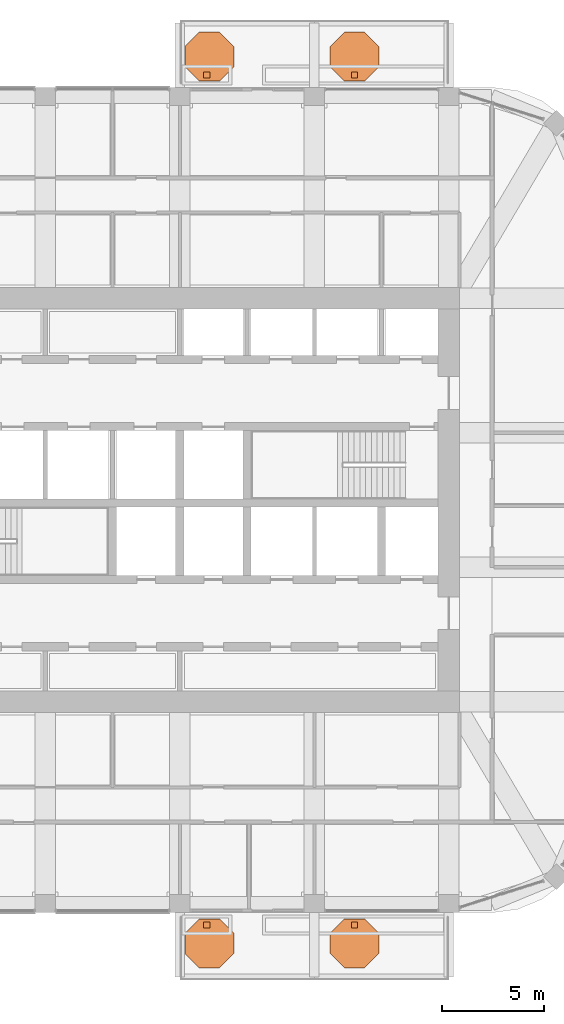
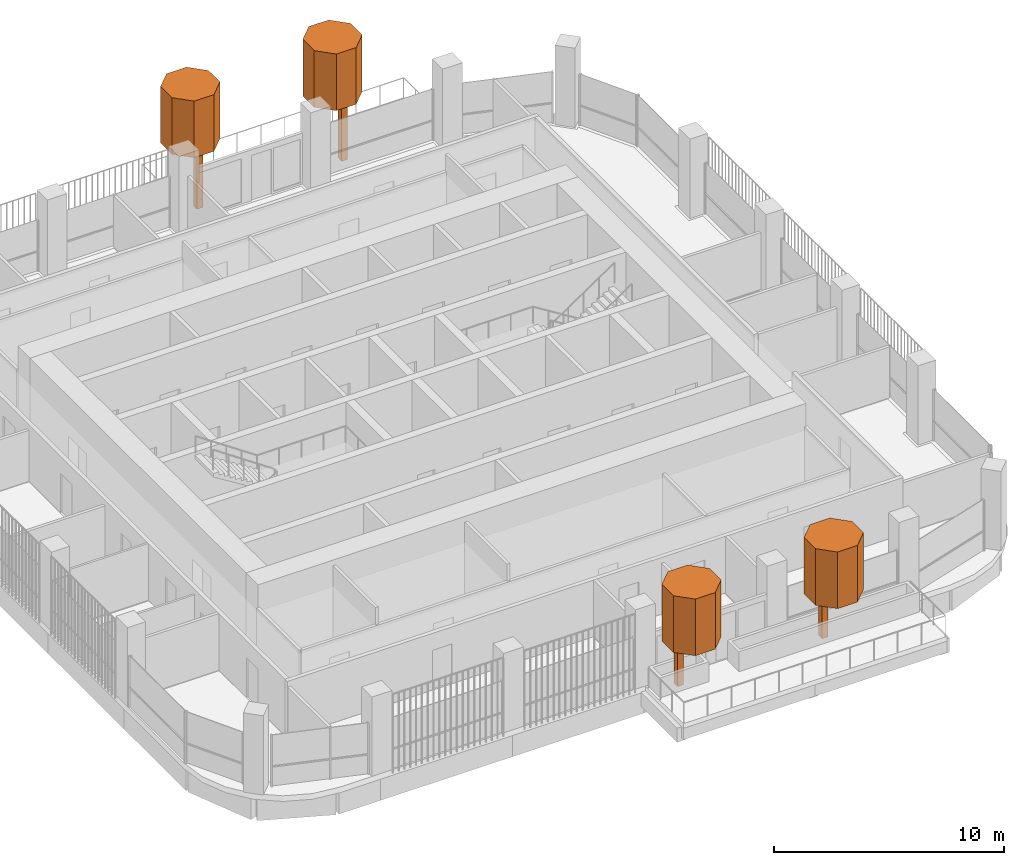
# One storey, part 21 of 21: 8 geographic elements.
"""IFC4 building model written with IfcOpenShell, lengths in metres."""

from ifc_helpers import new_model, si_unit, direction, frame, origin, origin_2d, place, context, subcontext, project, spatial, polyline, rectangle, outline, extrude, material, type_object, element, save


model = new_model("IFC4")

# Units and contexts
model_context = context("Model", 3, precision=1e-05, world=origin(), true_north=direction((0.0, 1.0)))
body_context = subcontext(model_context, "Body", "Model", "MODEL_VIEW")
ifc_project = project(units=[si_unit("LENGTHUNIT", "METRE"), si_unit("AREAUNIT", "SQUARE_METRE"), si_unit("VOLUMEUNIT", "CUBIC_METRE"), si_unit("PLANEANGLEUNIT", "RADIAN"), si_unit("MASSUNIT", "GRAM", prefix="KILO")], contexts=[model_context])

# Site, building, storey
site_placement = place(None, origin())
site = spatial("IfcSite", under=ifc_project, at=site_placement, CompositionType="ELEMENT")
building_placement = place(site_placement, origin())
building = spatial("IfcBuilding", under=site, at=building_placement, Name="Cobogo Forest Laboratory Tower", CompositionType="ELEMENT")
storey_placement = place(building_placement, frame((0.0, 0.0, 267.0)))
storey = spatial("IfcBuildingStorey", under=building, at=storey_placement, Name="L61", CompositionType="ELEMENT", Elevation=267.0)

# Geographic elements
ifc_material = material(Name="Planting", Category="plant")
geographic_element_type_1 = type_object("IfcGeographicElementType", Name="Tree trunk 300", PredefinedType="USERDEFINED", material=ifc_material)
for number, where, z_axis, x_axis, name in (
    (1, (27.72509765625, 2.25, 0.0), (0.0, 0.0, 1.0), (1.0, 0.0, 0.0), "Tree trunk BAL-S1-PL1 L61"),
    (2, (34.97509765625, 2.25, 0.0), (0.0, 0.0, 1.0), (1.0, 0.0, 0.0), "Tree trunk BAL-S1-PL2 L61"),
    (3, (27.72509765625, 43.949951171875, 0.0), (0.0, 0.0, 1.0), (1.0, 0.0, 0.0), "Tree trunk BAL-N1-PL1 L61"),
    (4, (34.97509765625, 43.949951171875, 0.0), (0.0, 0.0, 1.0), (1.0, 0.0, 0.0), "Tree trunk BAL-N1-PL2 L61"),
):
    element("IfcGeographicElement", number, at=place(storey_placement, frame(where, z_axis=z_axis, x_axis=x_axis)), inside=storey, type_object=geographic_element_type_1, Name=name, ObjectType="TREE TRUNK", PredefinedType="USERDEFINED", context=body_context, shape_type="SweptSolid", body=[
        extrude(rectangle(XDim=0.300048828125, YDim=0.300048828125, at=origin_2d()), origin(), (0.0, 0.0, 1.0), 2.89990234375),
    ])
geographic_element_type_2 = type_object("IfcGeographicElementType", Name="Tree, holm oak 5 m", PredefinedType="USERDEFINED", material=ifc_material)
geographic_element_1_placement = place(storey_placement, frame((0.0, 0.0, 2.89990234375)))
element("IfcGeographicElement", 5, at=geographic_element_1_placement, inside=storey, type_object=geographic_element_type_2, Name="Holm tree BAL-S1-PL1 L61", ObjectType="TREE", PredefinedType="USERDEFINED", context=body_context, shape_type="SweptSolid", body=[
    extrude(outline(polyline([(29.050048828125, 0.85302734375), (29.050048828125, 1.84716796875), (28.34716796875, 2.550048828125), (27.35302734375, 2.550048828125), (26.64990234375, 1.84716796875), (26.64990234375, 0.85302734375), (27.35302734375, 0.14990234375), (28.34716796875, 0.14990234375), (29.050048828125, 0.85302734375)])), origin(), (0.0, 0.0, 1.0), 3.0),
])
geographic_element_2_placement = place(storey_placement, frame((0.0, 0.0, 2.89990234375)))
element("IfcGeographicElement", 6, at=geographic_element_2_placement, inside=storey, type_object=geographic_element_type_2, Name="Holm tree BAL-S1-PL2 L61", ObjectType="TREE", PredefinedType="USERDEFINED", context=body_context, shape_type="SweptSolid", body=[
    extrude(outline(polyline([(36.175048828125, 0.85302734375), (36.175048828125, 1.84716796875), (35.47216796875, 2.550048828125), (34.47802734375, 2.550048828125), (33.77490234375, 1.84716796875), (33.77490234375, 0.85302734375), (34.47802734375, 0.14990234375), (35.47216796875, 0.14990234375), (36.175048828125, 0.85302734375)])), origin(), (0.0, 0.0, 1.0), 3.0),
])
geographic_element_3_placement = place(storey_placement, frame((0.0, 0.0, 2.89990234375)))
element("IfcGeographicElement", 7, at=geographic_element_3_placement, inside=storey, type_object=geographic_element_type_2, Name="Holm tree BAL-N1-PL1 L61", ObjectType="TREE", PredefinedType="USERDEFINED", context=body_context, shape_type="SweptSolid", body=[
    extrude(outline(polyline([(29.050048828125, 44.35302734375), (29.050048828125, 45.34716796875), (28.34716796875, 46.050048828125), (27.35302734375, 46.050048828125), (26.64990234375, 45.34716796875), (26.64990234375, 44.35302734375), (27.35302734375, 43.64990234375), (28.34716796875, 43.64990234375), (29.050048828125, 44.35302734375)])), origin(), (0.0, 0.0, 1.0), 3.0),
])
geographic_element_4_placement = place(storey_placement, frame((0.0, 0.0, 2.89990234375)))
element("IfcGeographicElement", 8, at=geographic_element_4_placement, inside=storey, type_object=geographic_element_type_2, Name="Holm tree BAL-N1-PL2 L61", ObjectType="TREE", PredefinedType="USERDEFINED", context=body_context, shape_type="SweptSolid", body=[
    extrude(outline(polyline([(36.175048828125, 44.35302734375), (36.175048828125, 45.34716796875), (35.47216796875, 46.050048828125), (34.47802734375, 46.050048828125), (33.77490234375, 45.34716796875), (33.77490234375, 44.35302734375), (34.47802734375, 43.64990234375), (35.47216796875, 43.64990234375), (36.175048828125, 44.35302734375)])), origin(), (0.0, 0.0, 1.0), 3.0),
])

save(model, "model.ifc")
